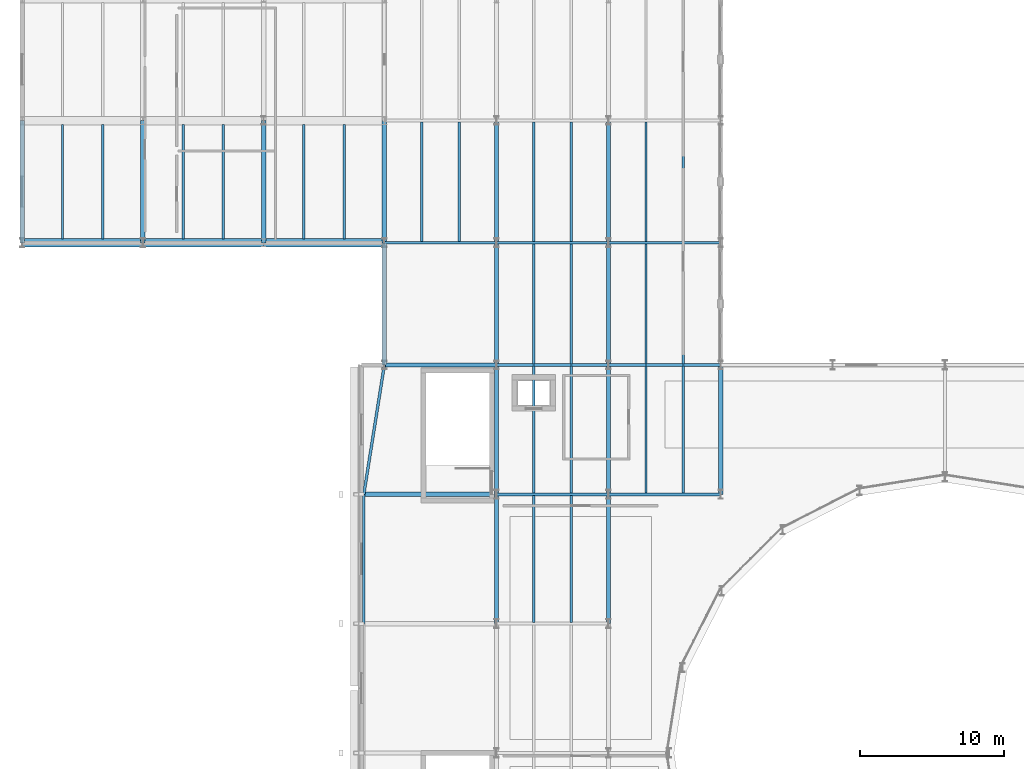
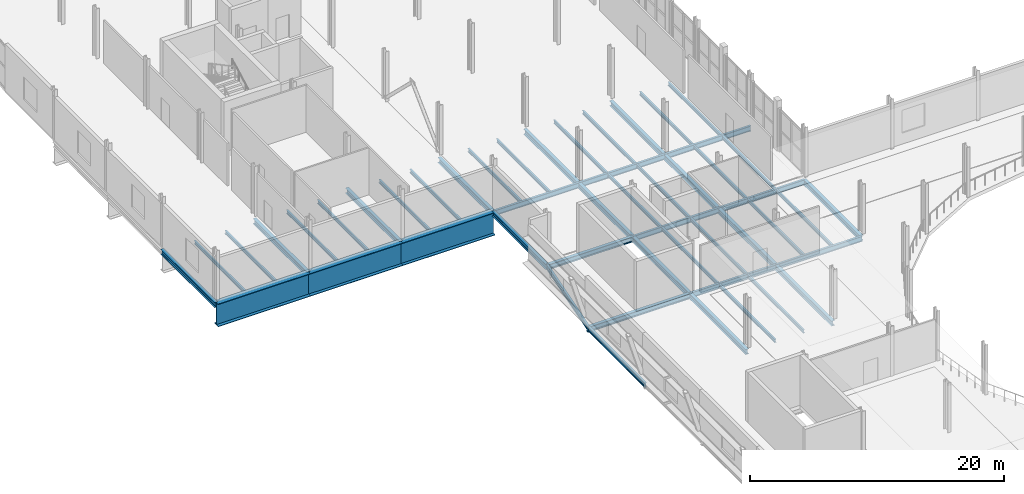
# One storey, part 17 of 63: 50 beams.
"""IFC4 building model written with IfcOpenShell, lengths in metres."""

import ifcopenshell
import ifcopenshell.guid

model = None  # the IFC model being written
_history = None  # IfcOwnerHistory: only IFC2X3 demands one
_inside = {}  # id of a spatial element -> (the spatial element, [elements in it])
_under = {}  # id of a project, library or spatial element -> (it, [spatial elements below it])
_declared = {}  # id of a project -> (the project, [libraries it declares])
_typed = {}  # id of a type object -> (the type object, [elements of that type])
_made_of = {}  # id of a material, layer set ... -> (it, [elements and type objects made of it])


def new_model(schema):
    """Start an empty IFC model of exactly this schema.

    Asked for "IFC4X3", IfcOpenShell would pick the latest addendum, in which some entities
    have other attributes; the version numbers below select the first issue.
    IFC2X3 requires an IfcOwnerHistory on every rooted entity: one is made here for all.
    """
    global model, _history
    if schema == "IFC4X3":
        model = ifcopenshell.file(schema_version=(4, 3, 0, 0))
    else:
        model = ifcopenshell.file(schema=schema)
    _inside.clear()
    _under.clear()
    _declared.clear()
    _typed.clear()
    _made_of.clear()
    _history = None
    if model.schema == "IFC2X3":
        org = make("IfcOrganization", Name="unknown")
        user = make(
            "IfcPersonAndOrganization",
            ThePerson=make("IfcPerson", FamilyName="unknown"),
            TheOrganization=org,
        )
        app = make(
            "IfcApplication",
            ApplicationDeveloper=org,
            Version="unknown",
            ApplicationFullName="unknown",
            ApplicationIdentifier="unknown",
        )
        _history = make(
            "IfcOwnerHistory",
            OwningUser=user,
            OwningApplication=app,
            ChangeAction="ADDED",
            CreationDate=0,
        )
    return model


def make(cls, **values):
    """One entity of the class cls with the attributes given. An attribute that is None is left unset."""
    return model.create_entity(
        cls, **{name: value for name, value in values.items() if value is not None}
    )


def rooted(cls, **values):
    """An entity with a GlobalId (a new one), such as an element, a storey or a relation."""
    return make(cls, GlobalId=ifcopenshell.guid.new(), OwnerHistory=_history, **values)


def si_unit(unit_type, name, prefix=None):
    """IfcSIUnit, for example si_unit("LENGTHUNIT", "METRE", prefix="MILLI")."""
    return make("IfcSIUnit", UnitType=unit_type, Prefix=prefix, Name=name)


def assignment(units):
    """IfcUnitAssignment: the units of a project."""
    return None if units is None else make("IfcUnitAssignment", Units=units)


def point(xyz):
    """IfcCartesianPoint."""
    return None if xyz is None else make("IfcCartesianPoint", Coordinates=xyz)


def direction(xyz):
    """IfcDirection."""
    return None if xyz is None else make("IfcDirection", DirectionRatios=xyz)


def frame(location, z_axis=None, x_axis=None):
    """IfcAxis2Placement3D, a coordinate frame: its origin and axes. An axis left out is left unset."""
    return make(
        "IfcAxis2Placement3D",
        Location=point(location),
        Axis=direction(z_axis),
        RefDirection=direction(x_axis),
    )


def frame_2d(location, x_axis=None):
    """IfcAxis2Placement2D, a coordinate frame in the plane: its origin and x axis."""
    return make(
        "IfcAxis2Placement2D", Location=point(location), RefDirection=direction(x_axis)
    )


def origin():
    """The frame at (0, 0, 0) with its axes left unset."""
    return frame((0.0, 0.0, 0.0))


def origin_2d():
    """The frame at (0, 0) in the plane with its x axis left unset."""
    return frame_2d((0.0, 0.0))


def place(relative_to, where):
    """IfcLocalPlacement: puts the frame where relative to a parent placement (None: the world)."""
    return make(
        "IfcLocalPlacement", PlacementRelTo=relative_to, RelativePlacement=where
    )


def context(
    kind, dimensions, precision=None, world=None, true_north=None, identifier=None
):
    """IfcGeometricRepresentationContext, for example the 3D "Model" context."""
    return make(
        "IfcGeometricRepresentationContext",
        ContextIdentifier=identifier,
        ContextType=kind,
        CoordinateSpaceDimension=dimensions,
        Precision=precision,
        WorldCoordinateSystem=world,
        TrueNorth=true_north,
    )


def subcontext(parent, identifier, kind, view, scale=None):
    """IfcGeometricRepresentationSubContext, for example "Body" below "Model"."""
    return make(
        "IfcGeometricRepresentationSubContext",
        ContextIdentifier=identifier,
        ContextType=kind,
        ParentContext=parent,
        TargetScale=scale,
        TargetView=view,
    )


def project(units=None, contexts=None):
    """IfcProject with its units and contexts."""
    return rooted(
        "IfcProject",
        Name="project",
        RepresentationContexts=contexts,
        UnitsInContext=assignment(units),
    )


def spatial(cls, under=None, at=None, **own):
    """A site, building, storey or space (cls), placed at a placement, below another one or the project."""
    s = rooted(cls, ObjectPlacement=at, **own)
    if under is not None:
        _under.setdefault(under.id(), (under, []))[1].append(s)
    return s


def profile(cls, at=None, kind="AREA", **sizes):
    """A parametric profile (cls). Its sizes go by their IFC names, for example OverallWidth=200.0."""
    return make(cls, ProfileType=kind, Position=at, **sizes)


def i_section(**sizes):
    """IfcIShapeProfileDef."""
    return profile("IfcIShapeProfileDef", **sizes)


def extrude(swept, where, along, depth):
    """IfcExtrudedAreaSolid: the profile swept, set in the frame where, extruded along a direction by depth."""
    return make(
        "IfcExtrudedAreaSolid",
        SweptArea=swept,
        Position=where,
        ExtrudedDirection=direction(along),
        Depth=depth,
    )


def shape(context_of_items, identifier, shape_type, items):
    """IfcShapeRepresentation: the items that make up one representation, for example the "Body"."""
    return make(
        "IfcShapeRepresentation",
        ContextOfItems=context_of_items,
        RepresentationIdentifier=identifier,
        RepresentationType=shape_type,
        Items=items,
    )


def material(Name=None, Category=None):
    """IfcMaterial."""
    return make("IfcMaterial", Name=Name, Category=Category)


def material_profile(
    of_material, cross_section, Name=None, Category=None, Priority=None
):
    """IfcMaterialProfile: a cross section and its material."""
    return make(
        "IfcMaterialProfile",
        Name=Name,
        Material=of_material,
        Profile=cross_section,
        Priority=Priority,
        Category=Category,
    )


def profile_set(profiles, Name=None, composite=None):
    """IfcMaterialProfileSet."""
    return make(
        "IfcMaterialProfileSet",
        Name=Name,
        MaterialProfiles=profiles,
        CompositeProfile=composite,
    )


def made_of(thing, what):
    """Note that an element or type object is made of a material, layer set ...; save() writes the relation."""
    if what is not None:
        _made_of.setdefault(what.id(), (what, []))[1].append(thing)
    return thing


def type_object(cls, material=None, **own):
    """A type object (cls), such as IfcWallType, which elements share."""
    return made_of(rooted(cls, **own), material)


def element(
    cls,
    number,
    at=None,
    inside=None,
    cuts=None,
    type_object=None,
    material=None,
    context=None,
    identifier="Body",
    shape_type=None,
    held_by="IfcProductDefinitionShape",
    body=None,
    shapes=None,
    **own,
):
    """One element of the class cls, such as IfcWall. Its Tag is "e" and its number.

    at: its placement. inside: the storey or other place that contains it. cuts: it is an
    opening in that element (IfcRelVoidsElement). A single representation is given by context,
    identifier, shape_type and body (its items); several are given by shapes. held_by: the class
    of the entity that holds the representations. save() writes the other relations.
    """
    e = rooted(cls, Tag="e%d" % number, ObjectPlacement=at, **own)
    if body is not None:
        shapes = [shape(context, identifier, shape_type, body)]
    if shapes is not None:
        e.Representation = make(held_by, Representations=shapes)
    if inside is not None:
        _inside.setdefault(inside.id(), (inside, []))[1].append(e)
    if cuts is not None:
        rooted(
            "IfcRelVoidsElement", RelatingBuildingElement=cuts, RelatedOpeningElement=e
        )
    if type_object is not None:
        _typed.setdefault(type_object.id(), (type_object, []))[1].append(e)
    return made_of(e, material)


def aggregate(whole, parts):
    """IfcRelAggregates: a whole, such as a stair, and the parts it consists of."""
    return rooted("IfcRelAggregates", RelatingObject=whole, RelatedObjects=parts)


def save(model, path):
    """Write the relations noted so far, then the file.

    IfcRelAggregates (storeys below a building ...), IfcRelContainedInSpatialStructure (elements
    in a storey), IfcRelDefinesByType, IfcRelAssociatesMaterial and IfcRelDeclares: one each for
    every whole, place, type object, material and project.
    """
    for whole, parts in _under.values():
        aggregate(whole, parts)
    for where, things in _inside.values():
        rooted(
            "IfcRelContainedInSpatialStructure",
            RelatedElements=things,
            RelatingStructure=where,
        )
    for kind, things in _typed.values():
        rooted("IfcRelDefinesByType", RelatedObjects=things, RelatingType=kind)
    for what, things in _made_of.values():
        rooted("IfcRelAssociatesMaterial", RelatedObjects=things, RelatingMaterial=what)
    for by, libraries in _declared.values():
        rooted("IfcRelDeclares", RelatingContext=by, RelatedDefinitions=libraries)
    model.write(path)


model = new_model("IFC4")

# Units and contexts
model_context = context("Model", 3, precision=1e-05, world=origin(), true_north=direction((0.0, 1.0)))
body_context = subcontext(model_context, "Body", "Model", "MODEL_VIEW")
ifc_project = project(units=[si_unit("LENGTHUNIT", "METRE"), si_unit("AREAUNIT", "SQUARE_METRE"), si_unit("VOLUMEUNIT", "CUBIC_METRE"), si_unit("PLANEANGLEUNIT", "RADIAN"), si_unit("MASSUNIT", "GRAM", prefix="KILO")], contexts=[model_context])

# Site, building, storey
site_placement = place(None, origin())
site = spatial("IfcSite", under=ifc_project, at=site_placement, CompositionType="ELEMENT")
building_placement = place(site_placement, origin())
building = spatial("IfcBuilding", under=site, at=building_placement, Name="Sefraquen Railside Congress Hotel", CompositionType="ELEMENT")
storey_placement = place(building_placement, frame((0.0, 0.0, 11.39990234375)))
storey = spatial("IfcBuildingStorey", under=building, at=storey_placement, Name="L02", CompositionType="ELEMENT", Elevation=11.39990234375)

# Beams
ifc_material_1 = material(Name="Steel S355JR", Category="steel")
ifc_material_profile_1 = material_profile(ifc_material_1, i_section(OverallWidth=0.18994140625, OverallDepth=0.449951171875, WebThickness=0.009521484375, FlangeThickness=0.0146484375, FilletRadius=0.02099609375, at=origin_2d()), Name="IPE 450")
ifc_profile_set_1 = profile_set([ifc_material_profile_1], Name="Steel S355JR")
beam_type_1 = type_object("IfcBeamType", Name="TB-BM-450", PredefinedType="BEAM", material=ifc_profile_set_1)
beam_1_placement = place(storey_placement, frame((23.770751953125, 36.0, -0.574951171875), z_axis=(0.0, 1.0, 0.0), x_axis=(-1.0, 0.0, 0.0)))
element("IfcBeam", 1, at=beam_1_placement, inside=storey, type_object=beam_type_1, Name="Congress leaning-hull west edge beam L02-04", PredefinedType="BEAM", context=body_context, shape_type="SweptSolid", body=[
    extrude(i_section(OverallWidth=0.18994140625, OverallDepth=0.449951171875, WebThickness=0.009521484375, FlangeThickness=0.0146484375, FilletRadius=0.02099609375, at=origin_2d()), origin(), (0.0, 0.0, 1.0), 9.0),
])
beam_2_placement = place(storey_placement, frame((23.770751953125, 45.0, -0.574951171875), z_axis=(0.156834742005, 0.987624859803, 0.0), x_axis=(-0.987624859803, 0.156834742005, 0.0)))
element("IfcBeam", 2, at=beam_2_placement, inside=storey, type_object=beam_type_1, Name="Congress leaning-hull west edge beam L02-05", PredefinedType="BEAM", context=body_context, shape_type="SweptSolid", body=[
    extrude(i_section(OverallWidth=0.18994140625, OverallDepth=0.449951171875, WebThickness=0.009521484375, FlangeThickness=0.0146484375, FilletRadius=0.02099609375, at=origin_2d()), origin(), (0.0, 0.0, 1.0), 9.11279296875),
])
ifc_material_profile_2 = material_profile(ifc_material_1, i_section(OverallWidth=0.199951171875, OverallDepth=0.5, WebThickness=0.01025390625, FlangeThickness=0.01611328125, FilletRadius=0.02099609375, at=origin_2d()), Name="IPE 500")
ifc_profile_set_2 = profile_set([ifc_material_profile_2], Name="Steel S355JR")
beam_type_2 = type_object("IfcBeamType", Name="TB-BM-500", PredefinedType="BEAM", material=ifc_profile_set_2)
for number, where, z_axis, x_axis, name in (
    (3, (33.0, 45.0, -0.599853515625), (1.0, 0.0, 0.0), (0.0, 1.0, 0.0), "Primary girder BM-L02-0705"),
    (4, (40.800048828125, 45.0, -0.599853515625), (1.0, 0.0, 0.0), (0.0, 1.0, 0.0), "Primary girder BM-L02-0706"),
    (5, (33.0, 54.0, -0.599853515625), (1.0, 0.0, 0.0), (0.0, 1.0, 0.0), "Primary girder BM-L02-0715"),
    (6, (40.800048828125, 54.0, -0.599853515625), (1.0, 0.0, 0.0), (0.0, 1.0, 0.0), "Primary girder BM-L02-0716"),
    (7, (25.199951171875, 62.5, -0.599853515625), (1.0, 0.0, 0.0), (0.0, 1.0, 0.0), "Primary girder BM-L02-0735"),
    (8, (33.0, 62.5, -0.599853515625), (1.0, 0.0, 0.0), (0.0, 1.0, 0.0), "Primary girder BM-L02-0736"),
    (9, (40.800048828125, 62.5, -0.599853515625), (1.0, 0.0, 0.0), (0.0, 1.0, 0.0), "Primary girder BM-L02-0737"),
):
    element("IfcBeam", number, at=place(storey_placement, frame(where, z_axis=z_axis, x_axis=x_axis)), inside=storey, type_object=beam_type_2, Name=name, PredefinedType="BEAM", context=body_context, shape_type="SweptSolid", body=[
        extrude(i_section(OverallWidth=0.199951171875, OverallDepth=0.5, WebThickness=0.01025390625, FlangeThickness=0.01611328125, FilletRadius=0.02099609375, at=origin_2d()), origin(), (0.0, 0.0, 1.0), 7.800048828125),
    ])
ifc_material_profile_3 = material_profile(ifc_material_1, i_section(OverallWidth=0.300048828125, OverallDepth=0.489990234375, WebThickness=0.011962890625, FlangeThickness=0.02294921875, FilletRadius=0.027099609375, at=origin_2d()), Name="HEA 500")
ifc_profile_set_3 = profile_set([ifc_material_profile_3], Name="Steel S355JR")
beam_type_3 = type_object("IfcBeamType", Name="TB-GIR-500", PredefinedType="T_BEAM", material=ifc_profile_set_3)
for number, where, z_axis, x_axis, name in (
    (10, (0.0, 62.5, -0.594970703125), (0.0, 1.0, 0.0), (-1.0, 0.0, 0.0), "Floor beam BM-L02-0833"),
    (11, (8.39990234375, 62.5, -0.594970703125), (0.0, 1.0, 0.0), (-1.0, 0.0, 0.0), "Floor beam BM-L02-0836"),
    (12, (16.800048828125, 62.5, -0.594970703125), (0.0, 1.0, 0.0), (-1.0, 0.0, 0.0), "Floor beam BM-L02-0842"),
    (13, (25.199951171875, 54.0, -0.594970703125), (0.0, 1.0, 0.0), (-1.0, 0.0, 0.0), "Floor beam BM-L02-0848"),
    (14, (25.199951171875, 62.5, -0.594970703125), (0.0, 1.0, 0.0), (-1.0, 0.0, 0.0), "Floor beam BM-L02-0849"),
):
    element("IfcBeam", number, at=place(storey_placement, frame(where, z_axis=z_axis, x_axis=x_axis)), inside=storey, type_object=beam_type_3, Name=name, PredefinedType="T_BEAM", context=body_context, shape_type="SweptSolid", body=[
        extrude(i_section(OverallWidth=0.300048828125, OverallDepth=0.489990234375, WebThickness=0.011962890625, FlangeThickness=0.02294921875, FilletRadius=0.027099609375, at=origin_2d()), origin(), (0.0, 0.0, 1.0), 8.5),
    ])
for number, where, z_axis, x_axis, name in (
    (15, (33.0, 36.0, -0.594970703125), (0.0, 1.0, 0.0), (-1.0, 0.0, 0.0), "Floor beam BM-L02-0858"),
    (16, (33.0, 45.0, -0.594970703125), (0.0, 1.0, 0.0), (-1.0, 0.0, 0.0), "Floor beam BM-L02-0859"),
):
    element("IfcBeam", number, at=place(storey_placement, frame(where, z_axis=z_axis, x_axis=x_axis)), inside=storey, type_object=beam_type_3, Name=name, PredefinedType="T_BEAM", context=body_context, shape_type="SweptSolid", body=[
        extrude(i_section(OverallWidth=0.300048828125, OverallDepth=0.489990234375, WebThickness=0.011962890625, FlangeThickness=0.02294921875, FilletRadius=0.027099609375, at=origin_2d()), origin(), (0.0, 0.0, 1.0), 9.0),
    ])
for number, where, z_axis, x_axis, name in (
    (17, (33.0, 54.0, -0.594970703125), (0.0, 1.0, 0.0), (-1.0, 0.0, 0.0), "Floor beam BM-L02-0860"),
    (18, (33.0, 62.5, -0.594970703125), (0.0, 1.0, 0.0), (-1.0, 0.0, 0.0), "Floor beam BM-L02-0861"),
):
    element("IfcBeam", number, at=place(storey_placement, frame(where, z_axis=z_axis, x_axis=x_axis)), inside=storey, type_object=beam_type_3, Name=name, PredefinedType="T_BEAM", context=body_context, shape_type="SweptSolid", body=[
        extrude(i_section(OverallWidth=0.300048828125, OverallDepth=0.489990234375, WebThickness=0.011962890625, FlangeThickness=0.02294921875, FilletRadius=0.027099609375, at=origin_2d()), origin(), (0.0, 0.0, 1.0), 8.5),
    ])
for number, where, z_axis, x_axis, name in (
    (19, (40.800048828125, 36.0, -0.594970703125), (0.0, 1.0, 0.0), (-1.0, 0.0, 0.0), "Floor beam BM-L02-0870"),
    (20, (40.800048828125, 45.0, -0.594970703125), (0.0, 1.0, 0.0), (-1.0, 0.0, 0.0), "Floor beam BM-L02-0871"),
):
    element("IfcBeam", number, at=place(storey_placement, frame(where, z_axis=z_axis, x_axis=x_axis)), inside=storey, type_object=beam_type_3, Name=name, PredefinedType="T_BEAM", context=body_context, shape_type="SweptSolid", body=[
        extrude(i_section(OverallWidth=0.300048828125, OverallDepth=0.489990234375, WebThickness=0.011962890625, FlangeThickness=0.02294921875, FilletRadius=0.027099609375, at=origin_2d()), origin(), (0.0, 0.0, 1.0), 9.0),
    ])
for number, where, z_axis, x_axis, name in (
    (21, (40.800048828125, 54.0, -0.594970703125), (0.0, 1.0, 0.0), (-1.0, 0.0, 0.0), "Floor beam BM-L02-0872"),
    (22, (40.800048828125, 62.5, -0.594970703125), (0.0, 1.0, 0.0), (-1.0, 0.0, 0.0), "Floor beam BM-L02-0873"),
):
    element("IfcBeam", number, at=place(storey_placement, frame(where, z_axis=z_axis, x_axis=x_axis)), inside=storey, type_object=beam_type_3, Name=name, PredefinedType="T_BEAM", context=body_context, shape_type="SweptSolid", body=[
        extrude(i_section(OverallWidth=0.300048828125, OverallDepth=0.489990234375, WebThickness=0.011962890625, FlangeThickness=0.02294921875, FilletRadius=0.027099609375, at=origin_2d()), origin(), (0.0, 0.0, 1.0), 8.5),
    ])
beam_3_placement = place(storey_placement, frame((48.60009765625, 45.0, -0.594970703125), z_axis=(0.0, 1.0, 0.0), x_axis=(-1.0, 0.0, 0.0)))
element("IfcBeam", 23, at=beam_3_placement, inside=storey, type_object=beam_type_3, Name="Floor beam BM-L02-0880", PredefinedType="T_BEAM", context=body_context, shape_type="SweptSolid", body=[
    extrude(i_section(OverallWidth=0.300048828125, OverallDepth=0.489990234375, WebThickness=0.011962890625, FlangeThickness=0.02294921875, FilletRadius=0.027099609375, at=origin_2d()), origin(), (0.0, 0.0, 1.0), 9.0),
])
beam_4_placement = place(storey_placement, frame((23.600341796875, 45.0, -0.594970703125), z_axis=(1.0, 0.0, 0.0), x_axis=(0.0, 1.0, 0.0)))
element("IfcBeam", 24, at=beam_4_placement, inside=storey, type_object=beam_type_3, Name="Congress leaning-hull west tie girder W-F L02", PredefinedType="T_BEAM", context=body_context, shape_type="SweptSolid", body=[
    extrude(i_section(OverallWidth=0.300048828125, OverallDepth=0.489990234375, WebThickness=0.011962890625, FlangeThickness=0.02294921875, FilletRadius=0.027099609375, at=origin_2d()), origin(), (0.0, 0.0, 1.0), 9.399658203125),
])
beam_5_placement = place(storey_placement, frame((25.199951171875, 54.0, -0.594970703125), z_axis=(1.0, 0.0, 0.0), x_axis=(0.0, 1.0, 0.0)))
element("IfcBeam", 25, at=beam_5_placement, inside=storey, type_object=beam_type_3, Name="Congress leaning-hull west tie girder W-G L02", PredefinedType="T_BEAM", context=body_context, shape_type="SweptSolid", body=[
    extrude(i_section(OverallWidth=0.300048828125, OverallDepth=0.489990234375, WebThickness=0.011962890625, FlangeThickness=0.02294921875, FilletRadius=0.027099609375, at=origin_2d()), origin(), (0.0, 0.0, 1.0), 7.800048828125),
])
ifc_material_profile_4 = material_profile(ifc_material_1, i_section(OverallWidth=0.159912109375, OverallDepth=0.330078125, WebThickness=0.007568359375, FlangeThickness=0.011474609375, FilletRadius=0.01806640625, at=origin_2d()), Name="IPE 330")
ifc_profile_set_4 = profile_set([ifc_material_profile_4], Name="Steel S355JR")
beam_type_4 = type_object("IfcBeamType", Name="TB-JST-330", PredefinedType="JOIST", material=ifc_profile_set_4)
for number, where, z_axis, x_axis, name in (
    (26, (2.800048828125, 62.780029296875, -0.514892578125), (0.0, 1.0, 0.0), (-1.0, 0.0, 0.0), "Composite floor joist BM-L02-J0422"),
    (27, (5.60009765625, 62.780029296875, -0.514892578125), (0.0, 1.0, 0.0), (-1.0, 0.0, 0.0), "Composite floor joist BM-L02-J0423"),
    (28, (11.199951171875, 62.780029296875, -0.514892578125), (0.0, 1.0, 0.0), (-1.0, 0.0, 0.0), "Composite floor joist BM-L02-J0428"),
    (29, (14.0, 62.780029296875, -0.514892578125), (0.0, 1.0, 0.0), (-1.0, 0.0, 0.0), "Composite floor joist BM-L02-J0429"),
    (30, (19.60009765625, 62.780029296875, -0.514892578125), (0.0, 1.0, 0.0), (-1.0, 0.0, 0.0), "Composite floor joist BM-L02-J0436"),
    (31, (22.39990234375, 62.780029296875, -0.514892578125), (0.0, 1.0, 0.0), (-1.0, 0.0, 0.0), "Composite floor joist BM-L02-J0437"),
):
    element("IfcBeam", number, at=place(storey_placement, frame(where, z_axis=z_axis, x_axis=x_axis)), inside=storey, type_object=beam_type_4, Name=name, PredefinedType="JOIST", context=body_context, shape_type="SweptSolid", body=[
        extrude(i_section(OverallWidth=0.159912109375, OverallDepth=0.330078125, WebThickness=0.007568359375, FlangeThickness=0.011474609375, FilletRadius=0.01806640625, at=origin_2d()), origin(), (0.0, 0.0, 1.0), 7.93994140625),
    ])
for number, where, z_axis, x_axis, name in (
    (32, (27.800048828125, 62.580078125, -0.514892578125), (0.0, 1.0, 0.0), (-1.0, 0.0, 0.0), "Composite floor joist BM-L02-J0448"),
    (33, (30.39990234375, 62.580078125, -0.514892578125), (0.0, 1.0, 0.0), (-1.0, 0.0, 0.0), "Composite floor joist BM-L02-J0449"),
):
    element("IfcBeam", number, at=place(storey_placement, frame(where, z_axis=z_axis, x_axis=x_axis)), inside=storey, type_object=beam_type_4, Name=name, PredefinedType="JOIST", context=body_context, shape_type="SweptSolid", body=[
        extrude(i_section(OverallWidth=0.159912109375, OverallDepth=0.330078125, WebThickness=0.007568359375, FlangeThickness=0.011474609375, FilletRadius=0.01806640625, at=origin_2d()), origin(), (0.0, 0.0, 1.0), 8.33984375),
    ])
for number, where, z_axis, x_axis, name in (
    (34, (35.60009765625, 36.080078125, -0.514892578125), (0.0, 1.0, 0.0), (-1.0, 0.0, 0.0), "Composite floor joist BM-L02-J0462"),
    (35, (38.199951171875, 36.080078125, -0.514892578125), (0.0, 1.0, 0.0), (-1.0, 0.0, 0.0), "Composite floor joist BM-L02-J0463"),
    (36, (35.60009765625, 45.080078125, -0.514892578125), (0.0, 1.0, 0.0), (-1.0, 0.0, 0.0), "Composite floor joist BM-L02-J0464"),
    (37, (38.199951171875, 45.080078125, -0.514892578125), (0.0, 1.0, 0.0), (-1.0, 0.0, 0.0), "Composite floor joist BM-L02-J0465"),
):
    element("IfcBeam", number, at=place(storey_placement, frame(where, z_axis=z_axis, x_axis=x_axis)), inside=storey, type_object=beam_type_4, Name=name, PredefinedType="JOIST", context=body_context, shape_type="SweptSolid", body=[
        extrude(i_section(OverallWidth=0.159912109375, OverallDepth=0.330078125, WebThickness=0.007568359375, FlangeThickness=0.011474609375, FilletRadius=0.01806640625, at=origin_2d()), origin(), (0.0, 0.0, 1.0), 8.83984375),
    ])
for number, where, z_axis, x_axis, name in (
    (38, (35.60009765625, 54.080078125, -0.514892578125), (0.0, 1.0, 0.0), (-1.0, 0.0, 0.0), "Composite floor joist BM-L02-J0466"),
    (39, (38.199951171875, 54.080078125, -0.514892578125), (0.0, 1.0, 0.0), (-1.0, 0.0, 0.0), "Composite floor joist BM-L02-J0467"),
    (40, (35.60009765625, 62.580078125, -0.514892578125), (0.0, 1.0, 0.0), (-1.0, 0.0, 0.0), "Composite floor joist BM-L02-J0468"),
    (41, (38.199951171875, 62.580078125, -0.514892578125), (0.0, 1.0, 0.0), (-1.0, 0.0, 0.0), "Composite floor joist BM-L02-J0469"),
):
    element("IfcBeam", number, at=place(storey_placement, frame(where, z_axis=z_axis, x_axis=x_axis)), inside=storey, type_object=beam_type_4, Name=name, PredefinedType="JOIST", context=body_context, shape_type="SweptSolid", body=[
        extrude(i_section(OverallWidth=0.159912109375, OverallDepth=0.330078125, WebThickness=0.007568359375, FlangeThickness=0.011474609375, FilletRadius=0.01806640625, at=origin_2d()), origin(), (0.0, 0.0, 1.0), 8.33984375),
    ])
for number, where, z_axis, x_axis, name in (
    (42, (43.39990234375, 45.080078125, -0.514892578125), (0.0, 1.0, 0.0), (-1.0, 0.0, 0.0), "Composite floor joist BM-L02-J0482"),
    (43, (46.0, 45.080078125, -0.514892578125), (0.0, 1.0, 0.0), (-1.0, 0.0, 0.0), "Composite floor joist BM-L02-J0483"),
):
    element("IfcBeam", number, at=place(storey_placement, frame(where, z_axis=z_axis, x_axis=x_axis)), inside=storey, type_object=beam_type_4, Name=name, PredefinedType="JOIST", context=body_context, shape_type="SweptSolid", body=[
        extrude(i_section(OverallWidth=0.159912109375, OverallDepth=0.330078125, WebThickness=0.007568359375, FlangeThickness=0.011474609375, FilletRadius=0.01806640625, at=origin_2d()), origin(), (0.0, 0.0, 1.0), 8.83984375),
    ])
for number, where, z_axis, x_axis, name in (
    (44, (43.39990234375, 54.080078125, -0.514892578125), (0.0, 1.0, 0.0), (-1.0, 0.0, 0.0), "Composite floor joist BM-L02-J0484"),
    (45, (46.0, 54.080078125, -0.514892578125), (0.0, 1.0, 0.0), (-1.0, 0.0, 0.0), "Composite floor joist BM-L02-J0485"),
    (46, (43.39990234375, 62.580078125, -0.514892578125), (0.0, 1.0, 0.0), (-1.0, 0.0, 0.0), "Composite floor joist BM-L02-J0486"),
    (47, (46.0, 62.580078125, -0.514892578125), (0.0, 1.0, 0.0), (-1.0, 0.0, 0.0), "Composite floor joist BM-L02-J0487"),
):
    element("IfcBeam", number, at=place(storey_placement, frame(where, z_axis=z_axis, x_axis=x_axis)), inside=storey, type_object=beam_type_4, Name=name, PredefinedType="JOIST", context=body_context, shape_type="SweptSolid", body=[
        extrude(i_section(OverallWidth=0.159912109375, OverallDepth=0.330078125, WebThickness=0.007568359375, FlangeThickness=0.011474609375, FilletRadius=0.01806640625, at=origin_2d()), origin(), (0.0, 0.0, 1.0), 8.33984375),
    ])
ifc_material_2 = material(Name="Steel S355J2", Category="steel")
ifc_material_profile_5 = material_profile(ifc_material_2, i_section(OverallWidth=0.60009765625, OverallDepth=2.199951171875, WebThickness=0.028076171875, FlangeThickness=0.050048828125, at=origin_2d()), Name="WG 2200x600")
ifc_profile_set_5 = profile_set([ifc_material_profile_5], Name="Steel S355J2")
beam_type_5 = type_object("IfcBeamType", Name="TB-TG-2200", PredefinedType="USERDEFINED", material=ifc_profile_set_5)
beam_6_placement = place(storey_placement, frame((0.0, 62.5, -1.449951171875), z_axis=(1.0, 0.0, 0.0), x_axis=(0.0, 1.0, 0.0)))
element("IfcBeam", 48, at=beam_6_placement, inside=storey, type_object=beam_type_5, Name="Transfer girder BM-L02-0732", ObjectType="TRANSFER GIRDER", PredefinedType="USERDEFINED", context=body_context, shape_type="SweptSolid", body=[
    extrude(i_section(OverallWidth=0.60009765625, OverallDepth=2.199951171875, WebThickness=0.028076171875, FlangeThickness=0.050048828125, at=origin_2d()), origin(), (0.0, 0.0, 1.0), 8.39990234375),
])
beam_7_placement = place(storey_placement, frame((8.39990234375, 62.5, -1.449951171875), z_axis=(1.0, 0.0, 0.0), x_axis=(0.0, 1.0, 0.0)))
element("IfcBeam", 49, at=beam_7_placement, inside=storey, type_object=beam_type_5, Name="Transfer girder BM-L02-0733", ObjectType="TRANSFER GIRDER", PredefinedType="USERDEFINED", context=body_context, shape_type="SweptSolid", body=[
    extrude(i_section(OverallWidth=0.60009765625, OverallDepth=2.199951171875, WebThickness=0.028076171875, FlangeThickness=0.050048828125, at=origin_2d()), origin(), (0.0, 0.0, 1.0), 8.400146484375),
])
beam_8_placement = place(storey_placement, frame((16.800048828125, 62.5, -1.449951171875), z_axis=(1.0, 0.0, 0.0), x_axis=(0.0, 1.0, 0.0)))
element("IfcBeam", 50, at=beam_8_placement, inside=storey, type_object=beam_type_5, Name="Transfer girder BM-L02-0734", ObjectType="TRANSFER GIRDER", PredefinedType="USERDEFINED", context=body_context, shape_type="SweptSolid", body=[
    extrude(i_section(OverallWidth=0.60009765625, OverallDepth=2.199951171875, WebThickness=0.028076171875, FlangeThickness=0.050048828125, at=origin_2d()), origin(), (0.0, 0.0, 1.0), 8.39990234375),
])

save(model, "model.ifc")
